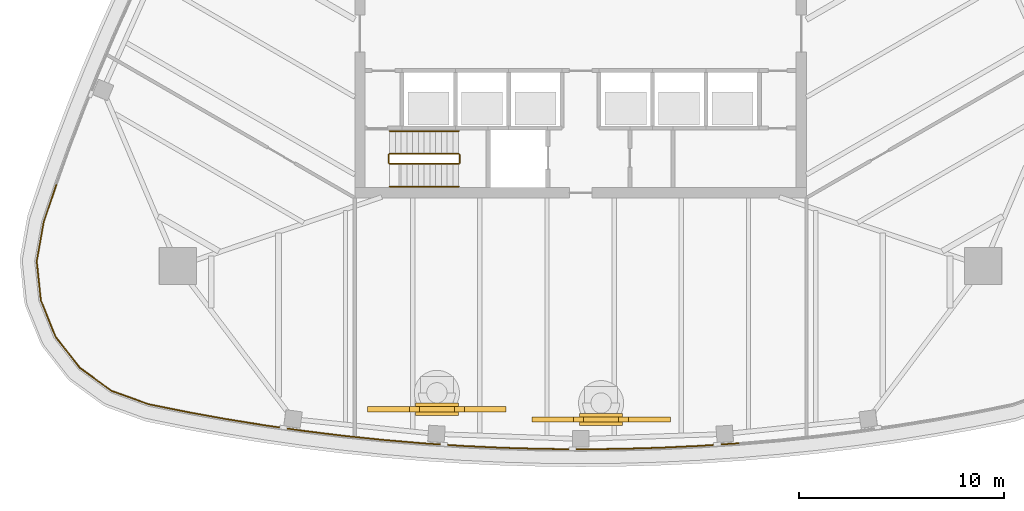
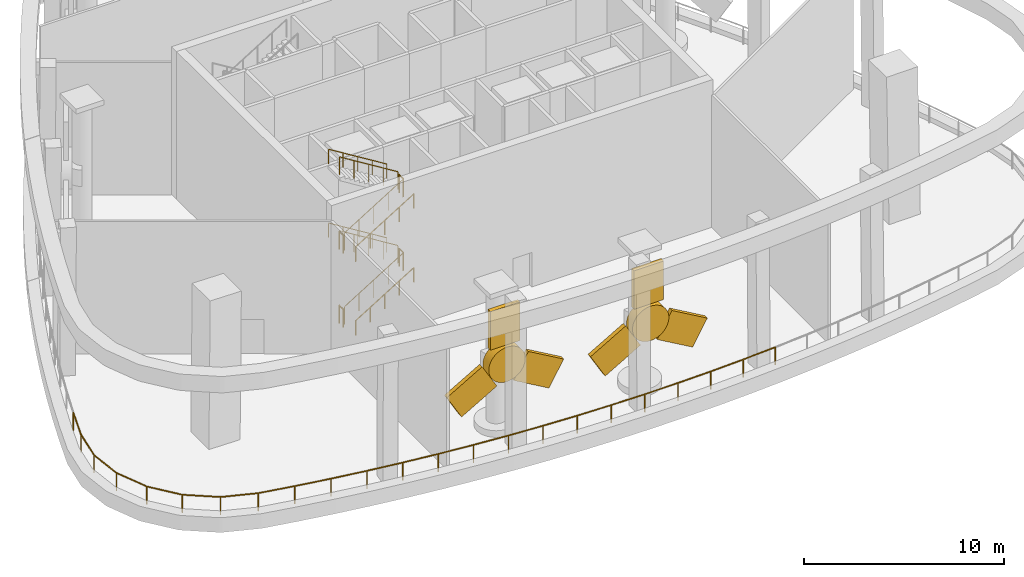
# One storey, part 7 of 12: 19 railings, 8 coverings.
"""IFC4 building model written with IfcOpenShell, lengths in metres."""

from ifc_helpers import new_model, si_unit, direction, frame, origin, origin_2d, place, context, subcontext, project, spatial, rectangle, circle, extrude, material, material_profile, profile_set, type_object, element, save


model = new_model("IFC4")

# Units and contexts
model_context = context("Model", 3, precision=1e-05, world=origin(), true_north=direction((0.0, 1.0)))
body_context = subcontext(model_context, "Body", "Model", "MODEL_VIEW")
ifc_project = project(units=[si_unit("LENGTHUNIT", "METRE"), si_unit("AREAUNIT", "SQUARE_METRE"), si_unit("VOLUMEUNIT", "CUBIC_METRE"), si_unit("PLANEANGLEUNIT", "RADIAN"), si_unit("MASSUNIT", "GRAM", prefix="KILO")], contexts=[model_context])

# Site, building, storey
site_placement = place(None, origin())
site = spatial("IfcSite", under=ifc_project, at=site_placement, CompositionType="ELEMENT")
building_placement = place(site_placement, origin())
building = spatial("IfcBuilding", under=site, at=building_placement, Name="Sierra Prisma Convention Tower", CompositionType="ELEMENT")
storey_placement = place(building_placement, frame((0.0, 0.0, 330.39990234375)))
storey = spatial("IfcBuildingStorey", under=building, at=storey_placement, Name="L75", CompositionType="ELEMENT", Elevation=330.39990234375)

# Railings
ifc_material_1 = material(Name="Stainless steel", Category="steel")
railing_type_1 = type_object("IfcRailingType", Name="Exit stair handrail", PredefinedType="HANDRAIL", material=ifc_material_1)
railing_1_placement = place(storey_placement, frame((-9.300048828125, -7.449951171875, 0.173095703125)))
element("IfcRailing", 1, at=railing_1_placement, inside=storey, type_object=railing_type_1, Name="L75 S1 stair handrail 1", PredefinedType="HANDRAIL", context=body_context, shape_type="SweptSolid", body=[
    extrude(circle(Radius=0.02392578125, at=origin_2d()), frame((0.0, 0.0, 0.8759765625), z_axis=(0.850623216509, 0.0, 0.525775754039), x_axis=(0.0, 1.0, 0.0)), (0.0, 0.0, 1.0), 3.9501953125),
    extrude(circle(Radius=0.02099609375, at=origin_2d()), origin(), (0.0, 0.0, 1.0), 0.851806640625),
    extrude(circle(Radius=0.02099609375, at=origin_2d()), frame((0.840087890625, 0.0, 0.519287109375)), (0.0, 0.0, 1.0), 0.851806640625),
    extrude(circle(Radius=0.02099609375, at=origin_2d()), frame((1.68017578125, 0.0, 1.03857421875)), (0.0, 0.0, 1.0), 0.851806640625),
    extrude(circle(Radius=0.02099609375, at=origin_2d()), frame((2.52001953125, 0.0, 1.5576171875)), (0.0, 0.0, 1.0), 0.851806640625),
    extrude(circle(Radius=0.02099609375, at=origin_2d()), frame((3.360107421875, 0.0, 2.076904296875)), (0.0, 0.0, 1.0), 0.851806640625),
])
railing_2_placement = place(storey_placement, frame((-5.93994140625, -4.75, 2.423095703125)))
element("IfcRailing", 2, at=railing_2_placement, inside=storey, type_object=railing_type_1, Name="L75 S1 stair handrail 2", PredefinedType="HANDRAIL", context=body_context, shape_type="SweptSolid", body=[
    extrude(circle(Radius=0.02392578125, at=origin_2d()), frame((0.0, 0.0, 0.8759765625), z_axis=(-0.850623216509, 0.0, 0.525775754039), x_axis=(0.0, -1.0, 0.0)), (0.0, 0.0, 1.0), 3.9501953125),
    extrude(circle(Radius=0.02099609375, at=origin_2d()), origin(), (0.0, 0.0, 1.0), 0.851806640625),
    extrude(circle(Radius=0.02099609375, at=origin_2d()), frame((-0.840087890625, 0.0, 0.519287109375)), (0.0, 0.0, 1.0), 0.851806640625),
    extrude(circle(Radius=0.02099609375, at=origin_2d()), frame((-1.68017578125, 0.0, 1.03857421875)), (0.0, 0.0, 1.0), 0.851806640625),
    extrude(circle(Radius=0.02099609375, at=origin_2d()), frame((-2.52001953125, 0.0, 1.5576171875)), (0.0, 0.0, 1.0), 0.851806640625),
    extrude(circle(Radius=0.02099609375, at=origin_2d()), frame((-3.360107421875, 0.0, 2.076904296875)), (0.0, 0.0, 1.0), 0.851806640625),
])
railing_3_placement = place(storey_placement, frame((-9.300048828125, -7.449951171875, 4.673095703125)))
element("IfcRailing", 3, at=railing_3_placement, inside=storey, type_object=railing_type_1, Name="L75 S1 stair handrail 3", PredefinedType="HANDRAIL", context=body_context, shape_type="SweptSolid", body=[
    extrude(circle(Radius=0.02392578125, at=origin_2d()), frame((0.0, 0.0, 0.8759765625), z_axis=(0.850623216509, 0.0, 0.525775754039), x_axis=(0.0, 1.0, 0.0)), (0.0, 0.0, 1.0), 3.9501953125),
    extrude(circle(Radius=0.02099609375, at=origin_2d()), origin(), (0.0, 0.0, 1.0), 0.851806640625),
    extrude(circle(Radius=0.02099609375, at=origin_2d()), frame((0.840087890625, 0.0, 0.519287109375)), (0.0, 0.0, 1.0), 0.851806640625),
    extrude(circle(Radius=0.02099609375, at=origin_2d()), frame((1.68017578125, 0.0, 1.03857421875)), (0.0, 0.0, 1.0), 0.851806640625),
    extrude(circle(Radius=0.02099609375, at=origin_2d()), frame((2.52001953125, 0.0, 1.5576171875)), (0.0, 0.0, 1.0), 0.851806640625),
    extrude(circle(Radius=0.02099609375, at=origin_2d()), frame((3.360107421875, 0.0, 2.076904296875)), (0.0, 0.0, 1.0), 0.851806640625),
])
railing_4_placement = place(storey_placement, frame((-5.93994140625, -4.75, 6.923095703125)))
element("IfcRailing", 4, at=railing_4_placement, inside=storey, type_object=railing_type_1, Name="L75 S1 stair handrail 4", PredefinedType="HANDRAIL", context=body_context, shape_type="SweptSolid", body=[
    extrude(circle(Radius=0.02392578125, at=origin_2d()), frame((0.0, 0.0, 0.8759765625), z_axis=(-0.850623216509, 0.0, 0.525775754039), x_axis=(0.0, -1.0, 0.0)), (0.0, 0.0, 1.0), 3.9501953125),
    extrude(circle(Radius=0.02099609375, at=origin_2d()), origin(), (0.0, 0.0, 1.0), 0.851806640625),
    extrude(circle(Radius=0.02099609375, at=origin_2d()), frame((-0.840087890625, 0.0, 0.519287109375)), (0.0, 0.0, 1.0), 0.851806640625),
    extrude(circle(Radius=0.02099609375, at=origin_2d()), frame((-1.68017578125, 0.0, 1.03857421875)), (0.0, 0.0, 1.0), 0.851806640625),
    extrude(circle(Radius=0.02099609375, at=origin_2d()), frame((-2.52001953125, 0.0, 1.5576171875)), (0.0, 0.0, 1.0), 0.851806640625),
    extrude(circle(Radius=0.02099609375, at=origin_2d()), frame((-3.360107421875, 0.0, 2.076904296875)), (0.0, 0.0, 1.0), 0.851806640625),
])
ifc_material_2 = material(Name="Stainless steel 316 and laminated glass", Category="steel")
railing_type_2 = type_object("IfcRailingType", Name="Open storey guard", PredefinedType="BALUSTRADE", material=ifc_material_2)
railing_5_placement = place(storey_placement, frame((-21.0341796875, -18.055419921875, 0.0)))
element("IfcRailing", 5, at=railing_5_placement, inside=storey, type_object=railing_type_2, Name="Perimeter guard L75", PredefinedType="BALUSTRADE", context=body_context, shape_type="SweptSolid", body=[
    extrude(circle(Radius=0.02490234375, at=origin_2d()), frame((0.0, 0.0, 1.0751953125), z_axis=(-0.940204177055, 0.34061137011, 0.0), x_axis=(-0.34061137011, -0.940204177055, 0.0)), (0.0, 0.0, 1.0), 1.923095703125),
    extrude(circle(Radius=0.02490234375, at=origin_2d()), frame((-1.80810546875, 0.655029296875, 1.0751953125), z_axis=(-0.80961649656, 0.586959222176, 0.0), x_axis=(-0.586959222176, -0.80961649656, 0.0)), (0.0, 0.0, 1.0), 1.916748046875),
    extrude(circle(Radius=0.02001953125, at=origin_2d()), origin(), (0.0, 0.0, 1.0), 1.050048828125),
    extrude(circle(Radius=0.02001953125, at=origin_2d()), frame((-1.80810546875, 0.655029296875, 0.0)), (0.0, 0.0, 1.0), 1.050048828125),
    extrude(circle(Radius=0.02001953125, at=origin_2d()), frame((-3.35986328125, 1.780029296875, 0.0)), (0.0, 0.0, 1.0), 1.050048828125),
])
railing_6_placement = place(storey_placement, frame((-24.39404296875, -16.275390625, 0.0)))
element("IfcRailing", 6, at=railing_6_placement, inside=storey, type_object=railing_type_2, Name="Perimeter guard L75", PredefinedType="BALUSTRADE", context=body_context, shape_type="SweptSolid", body=[
    extrude(circle(Radius=0.02490234375, at=origin_2d()), frame((0.0, 0.0, 1.0751953125), z_axis=(-0.615878843641, 0.787840878576, 0.0), x_axis=(-0.787840878576, -0.615878843641, 0.0)), (0.0, 0.0, 1.0), 1.916748046875),
    extrude(circle(Radius=0.02490234375, at=origin_2d()), frame((-1.180419921875, 1.510009765625, 1.0751953125), z_axis=(-0.374244001343, 0.927330268814, 0.0), x_axis=(-0.927330268814, -0.374244001343, 0.0)), (0.0, 0.0, 1.0), 1.91650390625),
    extrude(circle(Radius=0.02001953125, at=origin_2d()), origin(), (0.0, 0.0, 1.0), 1.050048828125),
    extrude(circle(Radius=0.02001953125, at=origin_2d()), frame((-1.180419921875, 1.510009765625, 0.0)), (0.0, 0.0, 1.0), 1.050048828125),
    extrude(circle(Radius=0.02001953125, at=origin_2d()), frame((-1.897705078125, 3.287353515625, 0.0)), (0.0, 0.0, 1.0), 1.050048828125),
])
railing_7_placement = place(storey_placement, frame((-26.291748046875, -12.988037109375, 0.0)))
element("IfcRailing", 7, at=railing_7_placement, inside=storey, type_object=railing_type_2, Name="Perimeter guard L75", PredefinedType="BALUSTRADE", context=body_context, shape_type="SweptSolid", body=[
    extrude(circle(Radius=0.02490234375, at=origin_2d()), frame((0.0, 0.0, 1.0751953125), z_axis=(-0.103564078264, 0.994622783619, 0.0), x_axis=(-0.994622783619, -0.103564078264, 0.0)), (0.0, 0.0, 1.0), 1.91650390625),
    extrude(circle(Radius=0.02490234375, at=origin_2d()), frame((-0.198486328125, 1.90625, 1.0751953125), z_axis=(0.175197419199, 0.984533323106, 0.0), x_axis=(-0.984533323106, 0.175197419199, 0.0)), (0.0, 0.0, 1.0), 1.923095703125),
    extrude(circle(Radius=0.02490234375, at=origin_2d()), frame((0.138427734375, 3.799560546875, 1.0751953125), z_axis=(0.319658784979, 0.947532723016, 0.0), x_axis=(-0.947532723016, 0.319658784979, 0.0)), (0.0, 0.0, 1.0), 1.920166015625),
    extrude(circle(Radius=0.02001953125, at=origin_2d()), origin(), (0.0, 0.0, 1.0), 1.050048828125),
    extrude(circle(Radius=0.02001953125, at=origin_2d()), frame((-0.198486328125, 1.90625, 0.0)), (0.0, 0.0, 1.0), 1.050048828125),
    extrude(circle(Radius=0.02001953125, at=origin_2d()), frame((0.138427734375, 3.799560546875, 0.0)), (0.0, 0.0, 1.0), 1.050048828125),
    extrude(circle(Radius=0.02001953125, at=origin_2d()), frame((0.752197265625, 5.618896484375, 0.0)), (0.0, 0.0, 1.0), 1.050048828125),
])
railing_8_placement = place(storey_placement, frame((7.698974609375, -19.955078125, 0.0)))
element("IfcRailing", 8, at=railing_8_placement, inside=storey, type_object=railing_type_2, Name="Perimeter guard L75", PredefinedType="BALUSTRADE", context=body_context, shape_type="SweptSolid", body=[
    extrude(circle(Radius=0.02490234375, at=origin_2d()), frame((0.0, 0.0, 1.0751953125), z_axis=(-0.997826457501, -0.065896591047, 0.0), x_axis=(0.065896591047, -0.997826457501, 0.0)), (0.0, 0.0, 1.0), 1.926513671875),
    extrude(circle(Radius=0.02490234375, at=origin_2d()), frame((-1.92236328125, -0.126953125, 1.0751953125), z_axis=(-0.998882143354, -0.047270114117, 0.0), x_axis=(0.047270114117, -0.998882143354, 0.0)), (0.0, 0.0, 1.0), 1.926513671875),
    extrude(circle(Radius=0.02490234375, at=origin_2d()), frame((-3.8466796875, -0.218017578125, 1.0751953125), z_axis=(-0.999600620569, -0.028259500303, 0.0), x_axis=(0.028259500303, -0.999600620569, 0.0)), (0.0, 0.0, 1.0), 1.926513671875),
    extrude(circle(Radius=0.02490234375, at=origin_2d()), frame((-5.7724609375, -0.2724609375, 1.0751953125), z_axis=(-0.999956031595, -0.00937735982, 0.0), x_axis=(0.00937735982, -0.999956031595, 0.0)), (0.0, 0.0, 1.0), 1.926513671875),
    extrude(circle(Radius=0.02001953125, at=origin_2d()), origin(), (0.0, 0.0, 1.0), 1.050048828125),
    extrude(circle(Radius=0.02001953125, at=origin_2d()), frame((-1.92236328125, -0.126953125, 0.0)), (0.0, 0.0, 1.0), 1.050048828125),
    extrude(circle(Radius=0.02001953125, at=origin_2d()), frame((-3.8466796875, -0.218017578125, 0.0)), (0.0, 0.0, 1.0), 1.050048828125),
    extrude(circle(Radius=0.02001953125, at=origin_2d()), frame((-5.7724609375, -0.2724609375, 0.0)), (0.0, 0.0, 1.0), 1.050048828125),
    extrude(circle(Radius=0.02001953125, at=origin_2d()), frame((-7.698974609375, -0.29052734375, 0.0)), (0.0, 0.0, 1.0), 1.050048828125),
])
railing_9_placement = place(storey_placement, frame((0.0, -20.24560546875, 0.0)))
element("IfcRailing", 9, at=railing_9_placement, inside=storey, type_object=railing_type_2, Name="Perimeter guard L75", PredefinedType="BALUSTRADE", context=body_context, shape_type="SweptSolid", body=[
    extrude(circle(Radius=0.02490234375, at=origin_2d()), frame((0.0, 0.0, 1.0751953125), z_axis=(-0.999956031595, 0.00937735982, 0.0), x_axis=(-0.00937735982, -0.999956031595, 0.0)), (0.0, 0.0, 1.0), 1.926513671875),
    extrude(circle(Radius=0.02490234375, at=origin_2d()), frame((-1.926513671875, 0.01806640625, 1.0751953125), z_axis=(-0.999600620569, 0.028259500303, 0.0), x_axis=(-0.028259500303, -0.999600620569, 0.0)), (0.0, 0.0, 1.0), 1.926513671875),
    extrude(circle(Radius=0.02490234375, at=origin_2d()), frame((-3.852294921875, 0.072509765625, 1.0751953125), z_axis=(-0.998882143354, 0.047270114117, 0.0), x_axis=(-0.047270114117, -0.998882143354, 0.0)), (0.0, 0.0, 1.0), 1.926513671875),
    extrude(circle(Radius=0.02490234375, at=origin_2d()), frame((-5.776611328125, 0.16357421875, 1.0751953125), z_axis=(-0.997826457501, 0.065896591047, 0.0), x_axis=(-0.065896591047, -0.997826457501, 0.0)), (0.0, 0.0, 1.0), 1.926513671875),
    extrude(circle(Radius=0.02001953125, at=origin_2d()), origin(), (0.0, 0.0, 1.0), 1.050048828125),
    extrude(circle(Radius=0.02001953125, at=origin_2d()), frame((-1.926513671875, 0.01806640625, 0.0)), (0.0, 0.0, 1.0), 1.050048828125),
    extrude(circle(Radius=0.02001953125, at=origin_2d()), frame((-3.852294921875, 0.072509765625, 0.0)), (0.0, 0.0, 1.0), 1.050048828125),
    extrude(circle(Radius=0.02001953125, at=origin_2d()), frame((-5.776611328125, 0.16357421875, 0.0)), (0.0, 0.0, 1.0), 1.050048828125),
    extrude(circle(Radius=0.02001953125, at=origin_2d()), frame((-7.698974609375, 0.29052734375, 0.0)), (0.0, 0.0, 1.0), 1.050048828125),
])
railing_10_placement = place(storey_placement, frame((-7.698974609375, -19.955078125, 0.0)))
element("IfcRailing", 10, at=railing_10_placement, inside=storey, type_object=railing_type_2, Name="Perimeter guard L75", PredefinedType="BALUSTRADE", context=body_context, shape_type="SweptSolid", body=[
    extrude(circle(Radius=0.02490234375, at=origin_2d()), frame((0.0, 0.0, 1.0751953125), z_axis=(-0.996389345274, 0.084901546653, 0.0), x_axis=(-0.084901546653, -0.996389345274, 0.0)), (0.0, 0.0, 1.0), 1.926513671875),
    extrude(circle(Radius=0.02490234375, at=origin_2d()), frame((-1.919677734375, 0.16357421875, 1.0751953125), z_axis=(-0.99462629541, 0.103530345694, 0.0), x_axis=(-0.103530345694, -0.99462629541, 0.0)), (0.0, 0.0, 1.0), 1.926513671875),
    extrude(circle(Radius=0.02490234375, at=origin_2d()), frame((-3.8359375, 0.363037109375, 1.0751953125), z_axis=(-0.992477405422, 0.122427936871, 0.0), x_axis=(-0.122427936871, -0.992477405422, 0.0)), (0.0, 0.0, 1.0), 1.92626953125),
    extrude(circle(Radius=0.02490234375, at=origin_2d()), frame((-5.747802734375, 0.598876953125, 1.0751953125), z_axis=(-0.990005170254, 0.141031070587, 0.0), x_axis=(-0.141031070587, -0.990005170254, 0.0)), (0.0, 0.0, 1.0), 1.9267578125),
    extrude(circle(Radius=0.02001953125, at=origin_2d()), origin(), (0.0, 0.0, 1.0), 1.050048828125),
    extrude(circle(Radius=0.02001953125, at=origin_2d()), frame((-1.919677734375, 0.16357421875, 0.0)), (0.0, 0.0, 1.0), 1.050048828125),
    extrude(circle(Radius=0.02001953125, at=origin_2d()), frame((-3.8359375, 0.363037109375, 0.0)), (0.0, 0.0, 1.0), 1.050048828125),
    extrude(circle(Radius=0.02001953125, at=origin_2d()), frame((-5.747802734375, 0.598876953125, 0.0)), (0.0, 0.0, 1.0), 1.050048828125),
    extrude(circle(Radius=0.02001953125, at=origin_2d()), frame((-7.6552734375, 0.87060546875, 0.0)), (0.0, 0.0, 1.0), 1.050048828125),
])
railing_11_placement = place(storey_placement, frame((-15.354248046875, -19.08447265625, 0.0)))
element("IfcRailing", 11, at=railing_11_placement, inside=storey, type_object=railing_type_2, Name="Perimeter guard L75", PredefinedType="BALUSTRADE", context=body_context, shape_type="SweptSolid", body=[
    extrude(circle(Radius=0.02490234375, at=origin_2d()), frame((0.0, 0.0, 1.0751953125), z_axis=(-0.987170336295, 0.159670683406, 0.0), x_axis=(-0.159670683406, -0.987170336295, 0.0)), (0.0, 0.0, 1.0), 1.926513671875),
    extrude(circle(Radius=0.02490234375, at=origin_2d()), frame((-1.90185546875, 0.3076171875, 1.0751953125), z_axis=(-0.983973161723, 0.178316620111, 0.0), x_axis=(-0.178316620111, -0.983973161723, 0.0)), (0.0, 0.0, 1.0), 1.92626953125),
    extrude(circle(Radius=0.02490234375, at=origin_2d()), frame((-3.79736328125, 0.651123046875, 1.0751953125), z_axis=(-0.980438600327, 0.196825178746, 0.0), x_axis=(-0.196825178746, -0.980438600327, 0.0)), (0.0, 0.0, 1.0), 1.920166015625),
    extrude(circle(Radius=0.02001953125, at=origin_2d()), origin(), (0.0, 0.0, 1.0), 1.050048828125),
    extrude(circle(Radius=0.02001953125, at=origin_2d()), frame((-1.90185546875, 0.3076171875, 0.0)), (0.0, 0.0, 1.0), 1.050048828125),
    extrude(circle(Radius=0.02001953125, at=origin_2d()), frame((-3.79736328125, 0.651123046875, 0.0)), (0.0, 0.0, 1.0), 1.050048828125),
    extrude(circle(Radius=0.02001953125, at=origin_2d()), frame((-5.679931640625, 1.029052734375, 0.0)), (0.0, 0.0, 1.0), 1.050048828125),
])

# Coverings
ifc_material_3 = material(Name="Aluminium composite bronze anodised", Category="aluminium")
ifc_material_profile_1 = material_profile(ifc_material_3, rectangle(XDim=0.25, YDim=1.699951171875, at=origin_2d()), Name="ROTOR BLADE 250x1700")
ifc_profile_set_1 = profile_set([ifc_material_profile_1], Name="Aluminium composite bronze anodised")
covering_type_1 = type_object("IfcCoveringType", Name="Rotor blade", PredefinedType="CLADDING", material=ifc_profile_set_1)
covering_1_placement = place(storey_placement, frame((1.0, -18.800048828125, 5.400146484375), z_axis=(0.0, 0.0, 1.0), x_axis=(0.0, -1.0, 0.0)))
element("IfcCovering", 12, at=covering_1_placement, inside=storey, type_object=covering_type_1, Name="Rotor blade 1.1", PredefinedType="CLADDING", context=body_context, shape_type="SweptSolid", body=[
    extrude(rectangle(XDim=0.25, YDim=1.699951171875, at=origin_2d()), origin(), (0.0, 0.0, 1.0), 2.349853515625),
])
for number, where, z_axis, x_axis, name in (
    (13, (0.0908203125, -18.800048828125, 3.8251953125), (-0.866042010059, 0.0, -0.499971235986), (0.0, -1.0, 0.0), "Rotor blade 1.2"),
    (14, (1.9091796875, -18.800048828125, 3.8251953125), (0.866042010059, 0.0, -0.499971235986), (0.0, 1.0, 0.0), "Rotor blade 1.3"),
):
    element("IfcCovering", number, at=place(storey_placement, frame(where, z_axis=z_axis, x_axis=x_axis)), inside=storey, type_object=covering_type_1, Name=name, PredefinedType="CLADDING", context=body_context, shape_type="SweptSolid", body=[
        extrude(rectangle(XDim=0.25, YDim=1.699951171875, at=origin_2d()), origin(), (0.0, 0.0, 1.0), 2.350341796875),
    ])
covering_2_placement = place(storey_placement, frame((-7.0, -18.300048828125, 5.400146484375), z_axis=(0.0, 0.0, 1.0), x_axis=(0.0, -1.0, 0.0)))
element("IfcCovering", 15, at=covering_2_placement, inside=storey, type_object=covering_type_1, Name="Rotor blade 4.1", PredefinedType="CLADDING", context=body_context, shape_type="SweptSolid", body=[
    extrude(rectangle(XDim=0.25, YDim=1.699951171875, at=origin_2d()), origin(), (0.0, 0.0, 1.0), 2.349853515625),
])
for number, where, z_axis, x_axis, name in (
    (16, (-7.9091796875, -18.300048828125, 3.8251953125), (-0.866042010059, 0.0, -0.499971235986), (0.0, -1.0, 0.0), "Rotor blade 4.2"),
    (17, (-6.0908203125, -18.300048828125, 3.8251953125), (0.866042010059, 0.0, -0.499971235986), (0.0, 1.0, 0.0), "Rotor blade 4.3"),
):
    element("IfcCovering", number, at=place(storey_placement, frame(where, z_axis=z_axis, x_axis=x_axis)), inside=storey, type_object=covering_type_1, Name=name, PredefinedType="CLADDING", context=body_context, shape_type="SweptSolid", body=[
        extrude(rectangle(XDim=0.25, YDim=1.699951171875, at=origin_2d()), origin(), (0.0, 0.0, 1.0), 2.350341796875),
    ])
ifc_material_4 = material(Name="Aluminium composite bronze anodised", Category="aluminium")
ifc_material_profile_2 = material_profile(ifc_material_4, circle(Radius=1.050048828125, at=origin_2d()), Name="ROTOR HUB 2100")
ifc_profile_set_2 = profile_set([ifc_material_profile_2], Name="Aluminium composite bronze anodised")
covering_type_2 = type_object("IfcCoveringType", Name="Rotor hub", PredefinedType="CLADDING", material=ifc_profile_set_2)
for number, where, z_axis, x_axis, name in (
    (18, (1.0, -18.5, 4.35009765625), (0.0, -1.0, 0.0), (1.0, 0.0, 0.0), "Rotor hub 1"),
    (19, (-7.0, -18.0, 4.35009765625), (0.0, -1.0, 0.0), (1.0, 0.0, 0.0), "Rotor hub 4"),
):
    element("IfcCovering", number, at=place(storey_placement, frame(where, z_axis=z_axis, x_axis=x_axis)), inside=storey, type_object=covering_type_2, Name=name, PredefinedType="CLADDING", context=body_context, shape_type="SweptSolid", body=[
        extrude(circle(Radius=1.050048828125, at=origin_2d()), origin(), (0.0, 0.0, 1.0), 0.60009765625),
    ])

# Railings
ifc_material_5 = material(Name="Stainless steel", Category="steel")
railing_type_3 = type_object("IfcRailingType", Name="Stair guard 1100", PredefinedType="GUARDRAIL", material=ifc_material_5)
railing_12_placement = place(storey_placement, frame((-9.300048828125, -6.35009765625, 0.173095703125)))
element("IfcRailing", 20, at=railing_12_placement, inside=storey, type_object=railing_type_3, Name="L75 S1 stair guard 1", PredefinedType="GUARDRAIL", context=body_context, shape_type="SweptSolid", body=[
    extrude(circle(Radius=0.02392578125, at=origin_2d()), frame((0.0, 0.0, 1.076171875), z_axis=(0.850623216509, 0.0, 0.525775754039), x_axis=(0.0, 1.0, 0.0)), (0.0, 0.0, 1.0), 3.9501953125),
    extrude(circle(Radius=0.02099609375, at=origin_2d()), origin(), (0.0, 0.0, 1.0), 1.052001953125),
    extrude(circle(Radius=0.02099609375, at=origin_2d()), frame((0.840087890625, 0.0, 0.519287109375)), (0.0, 0.0, 1.0), 1.052001953125),
    extrude(circle(Radius=0.02099609375, at=origin_2d()), frame((1.68017578125, 0.0, 1.03857421875)), (0.0, 0.0, 1.0), 1.052001953125),
    extrude(circle(Radius=0.02099609375, at=origin_2d()), frame((2.52001953125, 0.0, 1.5576171875)), (0.0, 0.0, 1.0), 1.052001953125),
    extrude(circle(Radius=0.02099609375, at=origin_2d()), frame((3.360107421875, 0.0, 2.076904296875)), (0.0, 0.0, 1.0), 1.052001953125),
])
railing_13_placement = place(storey_placement, frame((-5.889892578125, -6.300048828125, 2.25)))
element("IfcRailing", 21, at=railing_13_placement, inside=storey, type_object=railing_type_3, Name="L75 S1 stair guard 2", PredefinedType="GUARDRAIL", context=body_context, shape_type="SweptSolid", body=[
    extrude(circle(Radius=0.02392578125, at=origin_2d()), frame((0.0, 0.0, 1.076171875), z_axis=(0.0, 1.0, 0.0), x_axis=(-1.0, 0.0, 0.0)), (0.0, 0.0, 1.0), 0.400146484375),
    extrude(circle(Radius=0.02099609375, at=origin_2d()), origin(), (0.0, 0.0, 1.0), 1.052001953125),
    extrude(circle(Radius=0.02099609375, at=origin_2d()), frame((0.0, 0.400146484375, 0.0)), (0.0, 0.0, 1.0), 1.052001953125),
])
railing_14_placement = place(storey_placement, frame((-5.93994140625, -5.85009765625, 2.423095703125)))
element("IfcRailing", 22, at=railing_14_placement, inside=storey, type_object=railing_type_3, Name="L75 S1 stair guard 3", PredefinedType="GUARDRAIL", context=body_context, shape_type="SweptSolid", body=[
    extrude(circle(Radius=0.02392578125, at=origin_2d()), frame((0.0, 0.0, 1.076171875), z_axis=(-0.850623216509, 0.0, 0.525775754039), x_axis=(0.0, -1.0, 0.0)), (0.0, 0.0, 1.0), 3.9501953125),
    extrude(circle(Radius=0.02099609375, at=origin_2d()), origin(), (0.0, 0.0, 1.0), 1.052001953125),
    extrude(circle(Radius=0.02099609375, at=origin_2d()), frame((-0.840087890625, 0.0, 0.519287109375)), (0.0, 0.0, 1.0), 1.052001953125),
    extrude(circle(Radius=0.02099609375, at=origin_2d()), frame((-1.68017578125, 0.0, 1.03857421875)), (0.0, 0.0, 1.0), 1.052001953125),
    extrude(circle(Radius=0.02099609375, at=origin_2d()), frame((-2.52001953125, 0.0, 1.5576171875)), (0.0, 0.0, 1.0), 1.052001953125),
    extrude(circle(Radius=0.02099609375, at=origin_2d()), frame((-3.360107421875, 0.0, 2.076904296875)), (0.0, 0.0, 1.0), 1.052001953125),
])
railing_15_placement = place(storey_placement, frame((-9.35009765625, -6.300048828125, 4.5)))
element("IfcRailing", 23, at=railing_15_placement, inside=storey, type_object=railing_type_3, Name="L75 S1 stair guard 4", PredefinedType="GUARDRAIL", context=body_context, shape_type="SweptSolid", body=[
    extrude(circle(Radius=0.02392578125, at=origin_2d()), frame((0.0, 0.0, 1.076171875), z_axis=(0.0, 1.0, 0.0), x_axis=(-1.0, 0.0, 0.0)), (0.0, 0.0, 1.0), 0.400146484375),
    extrude(circle(Radius=0.02099609375, at=origin_2d()), origin(), (0.0, 0.0, 1.0), 1.052001953125),
    extrude(circle(Radius=0.02099609375, at=origin_2d()), frame((0.0, 0.400146484375, 0.0)), (0.0, 0.0, 1.0), 1.052001953125),
])
railing_16_placement = place(storey_placement, frame((-9.300048828125, -6.35009765625, 4.673095703125)))
element("IfcRailing", 24, at=railing_16_placement, inside=storey, type_object=railing_type_3, Name="L75 S1 stair guard 5", PredefinedType="GUARDRAIL", context=body_context, shape_type="SweptSolid", body=[
    extrude(circle(Radius=0.02392578125, at=origin_2d()), frame((0.0, 0.0, 1.076171875), z_axis=(0.850623216509, 0.0, 0.525775754039), x_axis=(0.0, 1.0, 0.0)), (0.0, 0.0, 1.0), 3.9501953125),
    extrude(circle(Radius=0.02099609375, at=origin_2d()), origin(), (0.0, 0.0, 1.0), 1.052001953125),
    extrude(circle(Radius=0.02099609375, at=origin_2d()), frame((0.840087890625, 0.0, 0.519287109375)), (0.0, 0.0, 1.0), 1.052001953125),
    extrude(circle(Radius=0.02099609375, at=origin_2d()), frame((1.68017578125, 0.0, 1.03857421875)), (0.0, 0.0, 1.0), 1.052001953125),
    extrude(circle(Radius=0.02099609375, at=origin_2d()), frame((2.52001953125, 0.0, 1.5576171875)), (0.0, 0.0, 1.0), 1.052001953125),
    extrude(circle(Radius=0.02099609375, at=origin_2d()), frame((3.360107421875, 0.0, 2.076904296875)), (0.0, 0.0, 1.0), 1.052001953125),
])
railing_17_placement = place(storey_placement, frame((-5.889892578125, -6.300048828125, 6.75)))
element("IfcRailing", 25, at=railing_17_placement, inside=storey, type_object=railing_type_3, Name="L75 S1 stair guard 6", PredefinedType="GUARDRAIL", context=body_context, shape_type="SweptSolid", body=[
    extrude(circle(Radius=0.02392578125, at=origin_2d()), frame((0.0, 0.0, 1.076171875), z_axis=(0.0, 1.0, 0.0), x_axis=(-1.0, 0.0, 0.0)), (0.0, 0.0, 1.0), 0.400146484375),
    extrude(circle(Radius=0.02099609375, at=origin_2d()), origin(), (0.0, 0.0, 1.0), 1.052001953125),
    extrude(circle(Radius=0.02099609375, at=origin_2d()), frame((0.0, 0.400146484375, 0.0)), (0.0, 0.0, 1.0), 1.052001953125),
])
railing_18_placement = place(storey_placement, frame((-5.93994140625, -5.85009765625, 6.923095703125)))
element("IfcRailing", 26, at=railing_18_placement, inside=storey, type_object=railing_type_3, Name="L75 S1 stair guard 7", PredefinedType="GUARDRAIL", context=body_context, shape_type="SweptSolid", body=[
    extrude(circle(Radius=0.02392578125, at=origin_2d()), frame((0.0, 0.0, 1.076171875), z_axis=(-0.850623216509, 0.0, 0.525775754039), x_axis=(0.0, -1.0, 0.0)), (0.0, 0.0, 1.0), 3.9501953125),
    extrude(circle(Radius=0.02099609375, at=origin_2d()), origin(), (0.0, 0.0, 1.0), 1.052001953125),
    extrude(circle(Radius=0.02099609375, at=origin_2d()), frame((-0.840087890625, 0.0, 0.519287109375)), (0.0, 0.0, 1.0), 1.052001953125),
    extrude(circle(Radius=0.02099609375, at=origin_2d()), frame((-1.68017578125, 0.0, 1.03857421875)), (0.0, 0.0, 1.0), 1.052001953125),
    extrude(circle(Radius=0.02099609375, at=origin_2d()), frame((-2.52001953125, 0.0, 1.5576171875)), (0.0, 0.0, 1.0), 1.052001953125),
    extrude(circle(Radius=0.02099609375, at=origin_2d()), frame((-3.360107421875, 0.0, 2.076904296875)), (0.0, 0.0, 1.0), 1.052001953125),
])
railing_19_placement = place(storey_placement, frame((-9.35009765625, -6.300048828125, 0.0)))
element("IfcRailing", 27, at=railing_19_placement, inside=storey, type_object=railing_type_3, Name="L75 S1 stair guard 8", PredefinedType="GUARDRAIL", context=body_context, shape_type="SweptSolid", body=[
    extrude(circle(Radius=0.02392578125, at=origin_2d()), frame((0.0, 0.0, 1.076171875), z_axis=(0.0, 1.0, 0.0), x_axis=(-1.0, 0.0, 0.0)), (0.0, 0.0, 1.0), 0.400146484375),
    extrude(circle(Radius=0.02099609375, at=origin_2d()), origin(), (0.0, 0.0, 1.0), 1.052001953125),
    extrude(circle(Radius=0.02099609375, at=origin_2d()), frame((0.0, 0.400146484375, 0.0)), (0.0, 0.0, 1.0), 1.052001953125),
])

save(model, "model.ifc")
